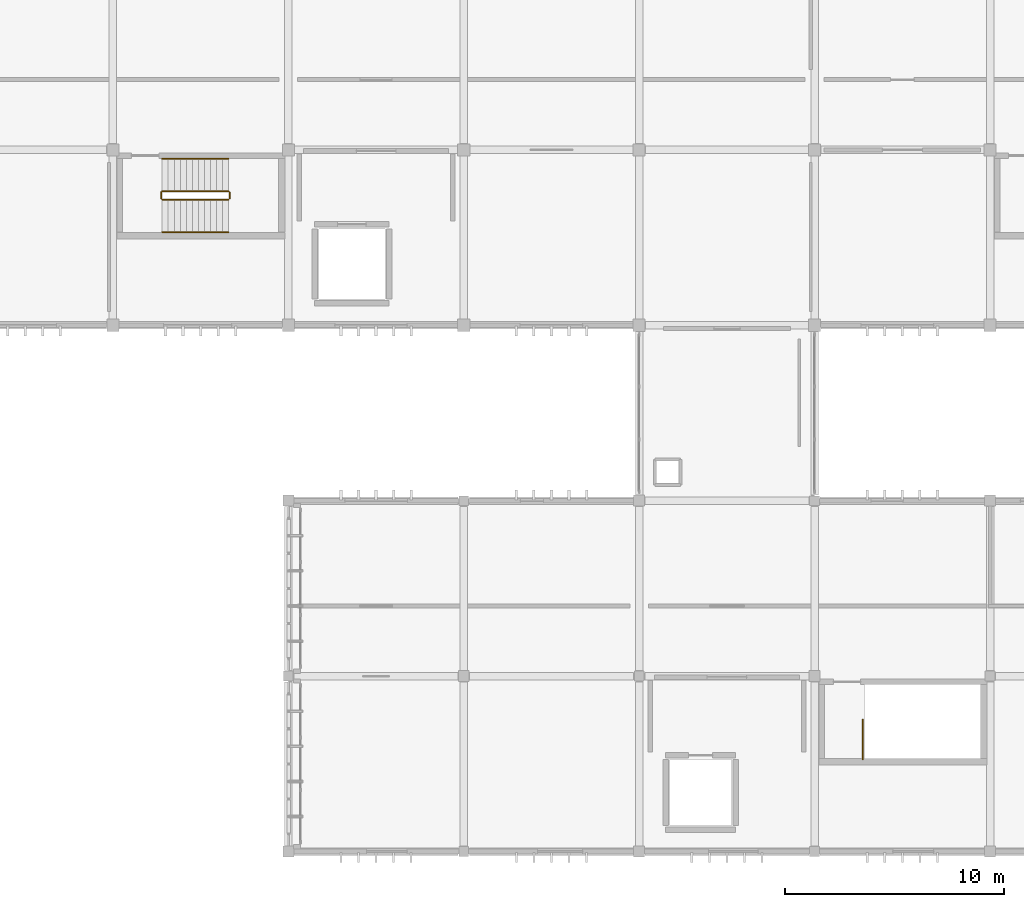
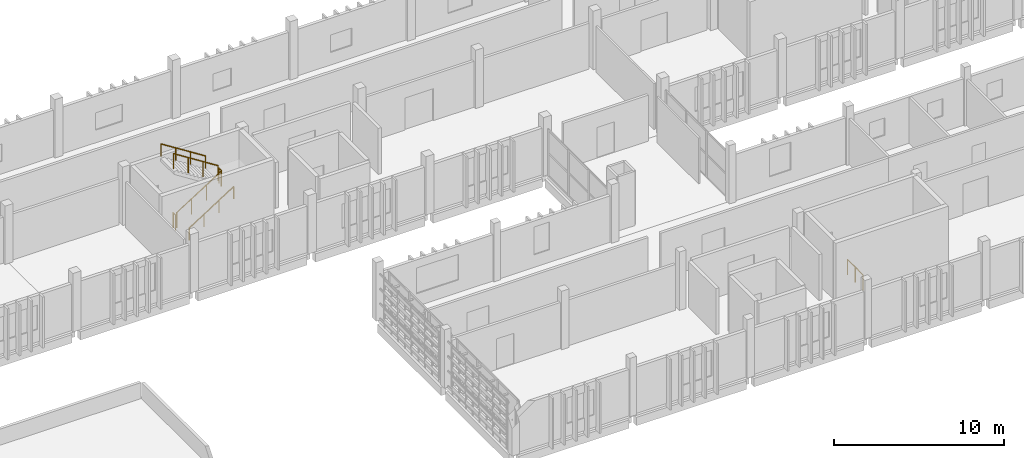
# One storey, part 30 of 32: 7 railings.
"""IFC4 building model written with IfcOpenShell, lengths in metres."""

from ifc_helpers import new_model, si_unit, direction, frame, origin, origin_2d, place, context, subcontext, project, spatial, circle, extrude, material, type_object, element, save


model = new_model("IFC4")

# Units and contexts
model_context = context("Model", 3, precision=1e-05, world=origin(), true_north=direction((0.0, 1.0)))
body_context = subcontext(model_context, "Body", "Model", "MODEL_VIEW")
ifc_project = project(units=[si_unit("LENGTHUNIT", "METRE"), si_unit("AREAUNIT", "SQUARE_METRE"), si_unit("VOLUMEUNIT", "CUBIC_METRE"), si_unit("PLANEANGLEUNIT", "RADIAN"), si_unit("MASSUNIT", "GRAM", prefix="KILO")], contexts=[model_context])

# Site, building, storey
site_placement = place(None, origin())
site = spatial("IfcSite", under=ifc_project, at=site_placement, CompositionType="ELEMENT")
building_placement = place(site_placement, origin())
building = spatial("IfcBuilding", under=site, at=building_placement, Name="Jelvoka-Kovrelna Polytechnic", CompositionType="ELEMENT")
storey_placement = place(building_placement, frame((0.0, 0.0, 26.39990234375)))
storey = spatial("IfcBuildingStorey", under=building, at=storey_placement, Name="L07", CompositionType="ELEMENT", Elevation=26.39990234375)

# Railings
ifc_material_1 = material(Name="Powder-coated steel stair guard", Category="steel")
railing_type_1 = type_object("IfcRailingType", Name="Railing_Stair_Guard_1100", PredefinedType="GUARDRAIL", material=ifc_material_1)
railing_1_placement = place(storey_placement, frame((154.199951171875, 36.199951171875, 0.0)))
element("IfcRailing", 1, at=railing_1_placement, inside=storey, type_object=railing_type_1, Name="L07 ST08 top well guard 1", PredefinedType="GUARDRAIL", context=body_context, shape_type="SweptSolid", body=[
    extrude(circle(Radius=0.02392578125, at=origin_2d()), frame((0.0, 0.0, 1.076171875), z_axis=(0.0, 1.0, 0.0), x_axis=(-1.0, 0.0, 0.0)), (0.0, 0.0, 1.0), 1.820068359375),
    extrude(circle(Radius=0.02099609375, at=origin_2d()), origin(), (0.0, 0.0, 1.0), 1.052001953125),
    extrude(circle(Radius=0.02099609375, at=origin_2d()), frame((0.0, 0.91015625, 0.0)), (0.0, 0.0, 1.0), 1.052001953125),
    extrude(circle(Radius=0.02099609375, at=origin_2d()), frame((0.0, 1.820068359375, 0.0)), (0.0, 0.0, 1.0), 1.052001953125),
])
railing_2_placement = place(storey_placement, frame((122.25, 61.72998046875, 0.175048828125)))
element("IfcRailing", 2, at=railing_2_placement, inside=storey, type_object=railing_type_1, Name="L07 ST11 stair guard 1", PredefinedType="GUARDRAIL", context=body_context, shape_type="SweptSolid", body=[
    extrude(circle(Radius=0.02392578125, at=origin_2d()), frame((0.0, 0.0, 1.076171875), z_axis=(0.84364746871, 0.0, 0.536897521451), x_axis=(0.0, 1.0, 0.0)), (0.0, 0.0, 1.0), 3.58544921875),
    extrude(circle(Radius=0.02099609375, at=origin_2d()), origin(), (0.0, 0.0, 1.0), 1.052001953125),
    extrude(circle(Radius=0.02099609375, at=origin_2d()), frame((1.00830078125, 0.0, 0.6416015625)), (0.0, 0.0, 1.0), 1.052001953125),
    extrude(circle(Radius=0.02099609375, at=origin_2d()), frame((2.0166015625, 0.0, 1.283447265625)), (0.0, 0.0, 1.0), 1.052001953125),
    extrude(circle(Radius=0.02099609375, at=origin_2d()), frame((3.02490234375, 0.0, 1.925048828125)), (0.0, 0.0, 1.0), 1.052001953125),
])
railing_3_placement = place(storey_placement, frame((125.324951171875, 61.780029296875, 2.10009765625)))
element("IfcRailing", 3, at=railing_3_placement, inside=storey, type_object=railing_type_1, Name="L07 ST11 stair guard 2", PredefinedType="GUARDRAIL", context=body_context, shape_type="SweptSolid", body=[
    extrude(circle(Radius=0.02392578125, at=origin_2d()), frame((0.0, 0.0, 1.076171875), z_axis=(0.0, 1.0, 0.0), x_axis=(-1.0, 0.0, 0.0)), (0.0, 0.0, 1.0), 0.280029296875),
    extrude(circle(Radius=0.02099609375, at=origin_2d()), origin(), (0.0, 0.0, 1.0), 1.052001953125),
    extrude(circle(Radius=0.02099609375, at=origin_2d()), frame((0.0, 0.280029296875, 0.0)), (0.0, 0.0, 1.0), 1.052001953125),
])
railing_4_placement = place(storey_placement, frame((125.27490234375, 62.110107421875, 2.275146484375)))
element("IfcRailing", 4, at=railing_4_placement, inside=storey, type_object=railing_type_1, Name="L07 ST11 stair guard 3", PredefinedType="GUARDRAIL", context=body_context, shape_type="SweptSolid", body=[
    extrude(circle(Radius=0.02392578125, at=origin_2d()), frame((0.0, 0.0, 1.076171875), z_axis=(-0.84364746871, 0.0, 0.536897521451), x_axis=(0.0, -1.0, 0.0)), (0.0, 0.0, 1.0), 3.58544921875),
    extrude(circle(Radius=0.02099609375, at=origin_2d()), origin(), (0.0, 0.0, 1.0), 1.052001953125),
    extrude(circle(Radius=0.02099609375, at=origin_2d()), frame((-1.00830078125, 0.0, 0.6416015625)), (0.0, 0.0, 1.0), 1.052001953125),
    extrude(circle(Radius=0.02099609375, at=origin_2d()), frame((-2.0166015625, 0.0, 1.283447265625)), (0.0, 0.0, 1.0), 1.052001953125),
    extrude(circle(Radius=0.02099609375, at=origin_2d()), frame((-3.02490234375, 0.0, 1.925048828125)), (0.0, 0.0, 1.0), 1.052001953125),
])
railing_5_placement = place(storey_placement, frame((122.199951171875, 61.780029296875, 0.0)))
element("IfcRailing", 5, at=railing_5_placement, inside=storey, type_object=railing_type_1, Name="L07 ST11 stair guard 4", PredefinedType="GUARDRAIL", context=body_context, shape_type="SweptSolid", body=[
    extrude(circle(Radius=0.02392578125, at=origin_2d()), frame((0.0, 0.0, 1.076171875), z_axis=(0.0, 1.0, 0.0), x_axis=(-1.0, 0.0, 0.0)), (0.0, 0.0, 1.0), 0.280029296875),
    extrude(circle(Radius=0.02099609375, at=origin_2d()), origin(), (0.0, 0.0, 1.0), 1.052001953125),
    extrude(circle(Radius=0.02099609375, at=origin_2d()), frame((0.0, 0.280029296875, 0.0)), (0.0, 0.0, 1.0), 1.052001953125),
])
ifc_material_2 = material(Name="Brushed stainless steel handrail", Category="steel")
railing_type_2 = type_object("IfcRailingType", Name="Railing_Stair_Handrail_900", PredefinedType="HANDRAIL", material=ifc_material_2)
railing_6_placement = place(storey_placement, frame((122.25, 60.25, 0.175048828125)))
element("IfcRailing", 6, at=railing_6_placement, inside=storey, type_object=railing_type_2, Name="L07 ST11 stair handrail 1", PredefinedType="HANDRAIL", context=body_context, shape_type="SweptSolid", body=[
    extrude(circle(Radius=0.02392578125, at=origin_2d()), frame((0.0, 0.0, 0.8759765625), z_axis=(0.84364746871, 0.0, 0.536897521451), x_axis=(0.0, 1.0, 0.0)), (0.0, 0.0, 1.0), 3.58544921875),
    extrude(circle(Radius=0.02099609375, at=origin_2d()), origin(), (0.0, 0.0, 1.0), 0.851806640625),
    extrude(circle(Radius=0.02099609375, at=origin_2d()), frame((1.00830078125, 0.0, 0.6416015625)), (0.0, 0.0, 1.0), 0.851806640625),
    extrude(circle(Radius=0.02099609375, at=origin_2d()), frame((2.0166015625, 0.0, 1.283447265625)), (0.0, 0.0, 1.0), 0.851806640625),
    extrude(circle(Radius=0.02099609375, at=origin_2d()), frame((3.02490234375, 0.0, 1.925048828125)), (0.0, 0.0, 1.0), 0.851806640625),
])
railing_7_placement = place(storey_placement, frame((125.27490234375, 63.590087890625, 2.275146484375)))
element("IfcRailing", 7, at=railing_7_placement, inside=storey, type_object=railing_type_2, Name="L07 ST11 stair handrail 2", PredefinedType="HANDRAIL", context=body_context, shape_type="SweptSolid", body=[
    extrude(circle(Radius=0.02392578125, at=origin_2d()), frame((0.0, 0.0, 0.8759765625), z_axis=(-0.84364746871, 0.0, 0.536897521451), x_axis=(0.0, -1.0, 0.0)), (0.0, 0.0, 1.0), 3.58544921875),
    extrude(circle(Radius=0.02099609375, at=origin_2d()), origin(), (0.0, 0.0, 1.0), 0.851806640625),
    extrude(circle(Radius=0.02099609375, at=origin_2d()), frame((-1.00830078125, 0.0, 0.6416015625)), (0.0, 0.0, 1.0), 0.851806640625),
    extrude(circle(Radius=0.02099609375, at=origin_2d()), frame((-2.0166015625, 0.0, 1.283447265625)), (0.0, 0.0, 1.0), 0.851806640625),
    extrude(circle(Radius=0.02099609375, at=origin_2d()), frame((-3.02490234375, 0.0, 1.925048828125)), (0.0, 0.0, 1.0), 0.851806640625),
])

save(model, "model.ifc")
